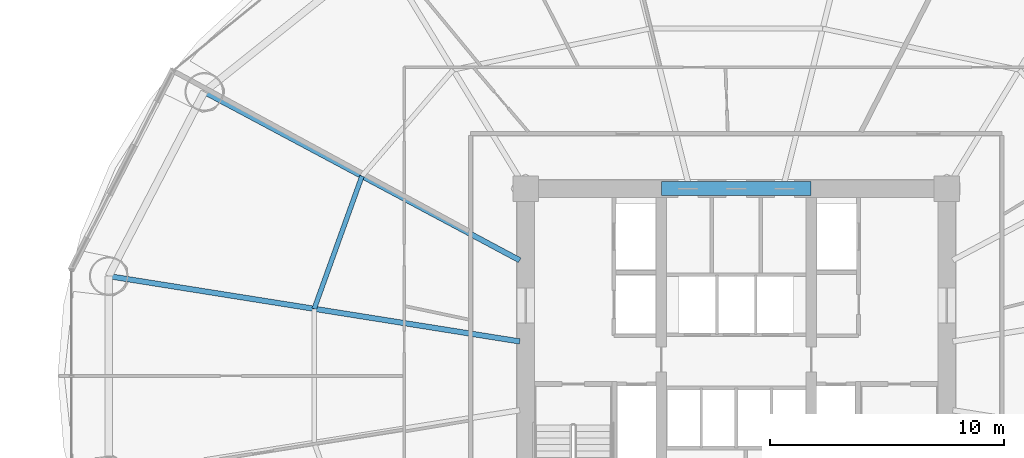
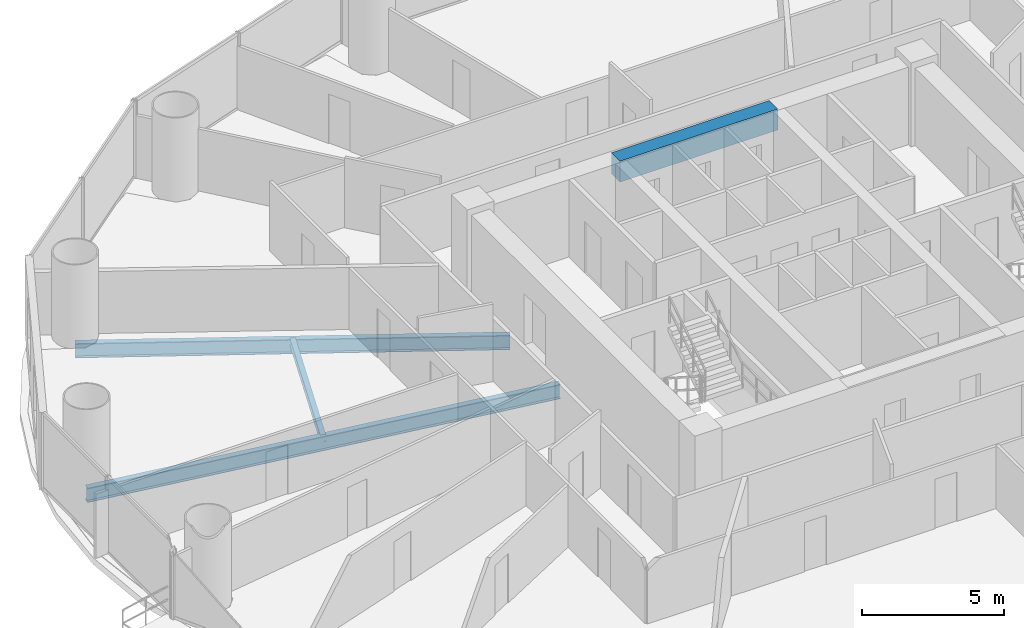
# One storey, part 9 of 29: 4 beams.
"""IFC4 building model written with IfcOpenShell, lengths in metres."""

from ifc_helpers import new_model, si_unit, direction, frame, origin, origin_2d, place, context, subcontext, project, spatial, rectangle, i_section, extrude, material, material_profile, profile_set, type_object, element, save


model = new_model("IFC4")

# Units and contexts
model_context = context("Model", 3, precision=1e-05, world=origin(), true_north=direction((-0.2419218956, 0.970295726276)))
body_context = subcontext(model_context, "Body", "Model", "MODEL_VIEW")
ifc_project = project(units=[si_unit("LENGTHUNIT", "METRE"), si_unit("AREAUNIT", "SQUARE_METRE"), si_unit("VOLUMEUNIT", "CUBIC_METRE"), si_unit("PLANEANGLEUNIT", "RADIAN"), si_unit("MASSUNIT", "GRAM", prefix="KILO")], contexts=[model_context])

# Site, building, storey
site_placement = place(None, origin())
site = spatial("IfcSite", under=ifc_project, at=site_placement, CompositionType="ELEMENT")
building_placement = place(site_placement, origin())
building = spatial("IfcBuilding", under=site, at=building_placement, Name="Cobrevalo Terracotta Tower", CompositionType="ELEMENT")
storey_placement = place(building_placement, frame((0.0, 0.0, 45.60009765625)))
storey = spatial("IfcBuildingStorey", under=building, at=storey_placement, Name="L11", CompositionType="ELEMENT", Elevation=45.60009765625)

# Beams
ifc_material_1 = material(Name="Concrete C60", Category="concrete")
ifc_material_profile_1 = material_profile(ifc_material_1, rectangle(XDim=0.60009765625, YDim=0.89990234375, at=origin_2d()), Name="RC CB 600x900")
ifc_profile_set_1 = profile_set([ifc_material_profile_1], Name="Concrete C60")
beam_type_1 = type_object("IfcBeamType", Name="Structural Beam RC CB 600x900 (Concrete C60)", PredefinedType="BEAM", material=ifc_profile_set_1)
beam_1_placement = place(storey_placement, frame((34.800048828125, 34.800048828125, 2.869873046875), z_axis=(1.0, 0.0, 0.0), x_axis=(0.0, 1.0, 0.0)))
element("IfcBeam", 1, at=beam_1_placement, inside=storey, type_object=beam_type_1, Name="L11 core coupling beam 2", PredefinedType="BEAM", context=body_context, shape_type="SweptSolid", body=[
    extrude(rectangle(XDim=0.60009765625, YDim=0.89990234375, at=origin_2d()), origin(), (0.0, 0.0, 1.0), 6.39990234375),
])
ifc_material_2 = material(Name="Steel S355", Category="steel")
ifc_material_profile_2 = material_profile(ifc_material_2, i_section(OverallWidth=0.22998046875, OverallDepth=0.616943359375, WebThickness=0.01318359375, FlangeThickness=0.022216796875, at=origin_2d()), Name="W 610x140")
ifc_profile_set_2 = profile_set([ifc_material_profile_2], Name="Steel S355")
beam_type_2 = type_object("IfcBeamType", Name="Structural Beam W 610x140 (Steel S355)", PredefinedType="BEAM", material=ifc_profile_set_2)
beam_2_placement = place(storey_placement, frame((15.25927734375, 38.939208984375, -0.588623046875), z_axis=(0.88218223571, -0.470908168329, 0.0), x_axis=(0.470908168329, 0.88218223571, 0.0)))
element("IfcBeam", 2, at=beam_2_placement, inside=storey, type_object=beam_type_2, Name="L11 radial floor girder 07", PredefinedType="BEAM", context=body_context, shape_type="SweptSolid", body=[
    extrude(i_section(OverallWidth=0.22998046875, OverallDepth=0.616943359375, WebThickness=0.01318359375, FlangeThickness=0.022216796875, at=origin_2d()), origin(), (0.0, 0.0, 1.0), 15.286865234375),
])
beam_3_placement = place(storey_placement, frame((11.175537109375, 31.062744140625, -0.588623046875), z_axis=(0.987607924622, -0.156941349628, 0.0), x_axis=(0.156941349628, 0.987607924622, 0.0)))
element("IfcBeam", 3, at=beam_3_placement, inside=storey, type_object=beam_type_2, Name="L11 radial floor girder 08", PredefinedType="BEAM", context=body_context, shape_type="SweptSolid", body=[
    extrude(i_section(OverallWidth=0.22998046875, OverallDepth=0.616943359375, WebThickness=0.01318359375, FlangeThickness=0.022216796875, at=origin_2d()), origin(), (0.0, 0.0, 1.0), 17.7900390625),
])
ifc_material_profile_3 = material_profile(ifc_material_2, i_section(OverallWidth=0.2041015625, OverallDepth=0.305908203125, WebThickness=0.008544921875, FlangeThickness=0.0146484375, at=origin_2d()), Name="W 310x67")
ifc_profile_set_3 = profile_set([ifc_material_profile_3], Name="Steel S355")
beam_type_3 = type_object("IfcBeamType", Name="Structural Joist W 310x67 (Steel S355)", PredefinedType="JOIST", material=ifc_profile_set_3)
beam_4_placement = place(storey_placement, frame((22.002197265625, 35.33984375, -0.43310546875), z_axis=(-0.338672151116, -0.940904444701, 0.0), x_axis=(0.940904444701, -0.338672151116, 0.0)))
element("IfcBeam", 4, at=beam_4_placement, inside=storey, type_object=beam_type_3, Name="L11 circumferential secondary floor joist 07", PredefinedType="JOIST", context=body_context, shape_type="SweptSolid", body=[
    extrude(i_section(OverallWidth=0.2041015625, OverallDepth=0.305908203125, WebThickness=0.008544921875, FlangeThickness=0.0146484375, at=origin_2d()), origin(), (0.0, 0.0, 1.0), 6.029296875),
])

save(model, "model.ifc")
